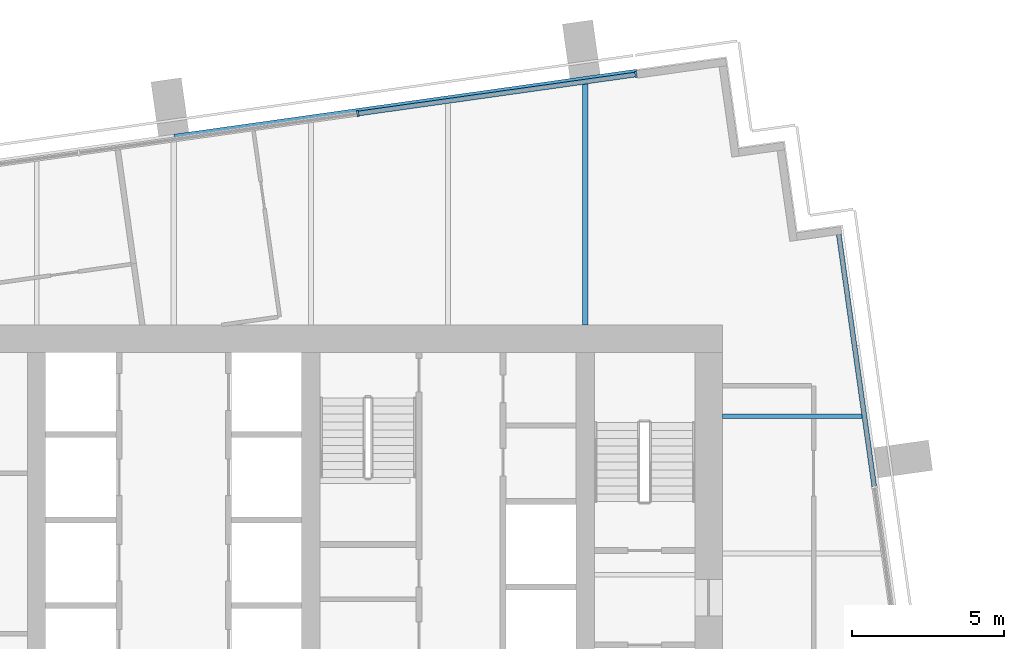
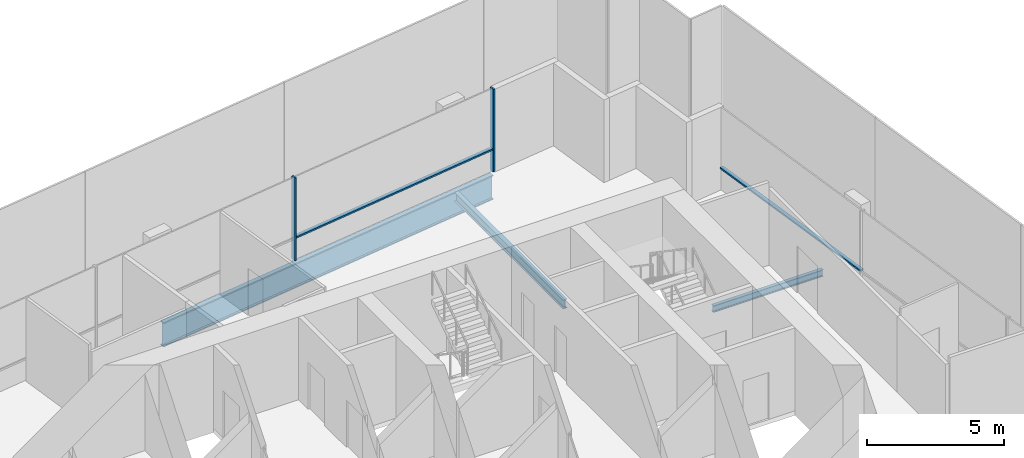
# One storey, part 6 of 15: 4 members, 3 beams, 2 elements without a shape of their own.
"""IFC4 building model written with IfcOpenShell, lengths in metres."""

from ifc_helpers import new_model, si_unit, direction, frame, origin, origin_2d, place, context, subcontext, project, spatial, rectangle, i_section, extrude, material, layer, layer_set, material_profile, profile_set, type_object, element, aggregate, save


model = new_model("IFC4")

# Units and contexts
model_context = context("Model", 3, precision=1e-05, world=origin(), true_north=direction((0.0, 1.0)))
body_context = subcontext(model_context, "Body", "Model", "MODEL_VIEW")
ifc_project = project(units=[si_unit("LENGTHUNIT", "METRE"), si_unit("AREAUNIT", "SQUARE_METRE"), si_unit("VOLUMEUNIT", "CUBIC_METRE"), si_unit("PLANEANGLEUNIT", "RADIAN"), si_unit("MASSUNIT", "GRAM", prefix="KILO")], contexts=[model_context])

# Site, building, storey
site_placement = place(None, origin())
site = spatial("IfcSite", under=ifc_project, at=site_placement, CompositionType="ELEMENT")
building_placement = place(site_placement, origin())
building = spatial("IfcBuilding", under=site, at=building_placement, Name="Rattan Terrace Tower", CompositionType="ELEMENT")
storey_placement = place(building_placement, frame((0.0, 0.0, 278.5)))
storey = spatial("IfcBuildingStorey", under=building, at=storey_placement, Name="L64", CompositionType="ELEMENT", Elevation=278.5)

# Beams
ifc_material_1 = material(Name="Steel S460", Category="steel")
ifc_material_profile_1 = material_profile(ifc_material_1, i_section(OverallWidth=0.179931640625, OverallDepth=1.10009765625, WebThickness=0.01611328125, FlangeThickness=0.050048828125, at=origin_2d()), Name="PG 1100x180-16-50")
ifc_profile_set_1 = profile_set([ifc_material_profile_1], Name="Steel S460")
beam_type_1 = type_object("IfcBeamType", Name="Frame edge girder PG 1100x180-16-50", PredefinedType="SPANDREL", material=ifc_profile_set_1)
beam_1_placement = place(storey_placement, frame((15.18896484375, 15.801025390625, -0.75), z_axis=(-0.99026622182, -0.139186241857, 0.0), x_axis=(0.139186241857, -0.99026622182, 0.0)))
element("IfcBeam", 1, at=beam_1_placement, inside=storey, type_object=beam_type_1, Name="gdr-L64-006", PredefinedType="SPANDREL", context=body_context, shape_type="SweptSolid", body=[
    extrude(i_section(OverallWidth=0.179931640625, OverallDepth=1.10009765625, WebThickness=0.01611328125, FlangeThickness=0.050048828125, at=origin_2d()), origin(), (0.0, 0.0, 1.0), 15.3251953125),
])
ifc_material_2 = material(Name="Steel S355", Category="steel")
ifc_material_profile_2 = material_profile(ifc_material_2, i_section(OverallWidth=0.14990234375, OverallDepth=0.300048828125, WebThickness=0.007080078125, FlangeThickness=0.0107421875, FilletRadius=0.014892578125, at=origin_2d()), Name="IPE 300")
ifc_profile_set_2 = profile_set([ifc_material_profile_2], Name="Steel S355")
beam_type_2 = type_object("IfcBeamType", Name="Frame floor beam IPE 300", PredefinedType="JOIST", material=ifc_profile_set_2)
beam_2_placement = place(storey_placement, frame((18.0, 4.5, -0.35009765625), z_axis=(1.0, 0.0, 0.0), x_axis=(0.0, 1.0, 0.0)))
element("IfcBeam", 2, at=beam_2_placement, inside=storey, type_object=beam_type_2, Name="bm-L64-014", PredefinedType="JOIST", context=body_context, shape_type="SweptSolid", body=[
    extrude(i_section(OverallWidth=0.14990234375, OverallDepth=0.300048828125, WebThickness=0.007080078125, FlangeThickness=0.0107421875, FilletRadius=0.014892578125, at=origin_2d()), origin(), (0.0, 0.0, 1.0), 4.64404296875),
])
ifc_material_3 = material(Name="Steel S355", Category="steel")
ifc_material_profile_3 = material_profile(ifc_material_3, i_section(OverallWidth=0.179931640625, OverallDepth=0.39990234375, WebThickness=0.008544921875, FlangeThickness=0.013427734375, FilletRadius=0.02099609375, at=origin_2d()), Name="IPE 400")
ifc_profile_set_3 = profile_set([ifc_material_profile_3], Name="Steel S355")
beam_type_3 = type_object("IfcBeamType", Name="Frame floor beam IPE 400", PredefinedType="JOIST", material=ifc_profile_set_3)
beam_3_placement = place(storey_placement, frame((13.5, 7.5, -0.39990234375), z_axis=(0.0, 1.0, 0.0), x_axis=(-1.0, 0.0, 0.0)))
element("IfcBeam", 3, at=beam_3_placement, inside=storey, type_object=beam_type_3, Name="bm-L64-021", PredefinedType="JOIST", context=body_context, shape_type="SweptSolid", body=[
    extrude(i_section(OverallWidth=0.179931640625, OverallDepth=0.39990234375, WebThickness=0.008544921875, FlangeThickness=0.013427734375, FilletRadius=0.02099609375, at=origin_2d()), origin(), (0.0, 0.0, 1.0), 7.9599609375),
])

# Curtain wall, members
ifc_material_4 = material(Name="Aluminium and laminated glass", Category="aluminium")
ifc_layer = layer(ifc_material_4, 0.199951171875)
ifc_layer_set = layer_set([ifc_layer], Name="High-Zone Unitised Curtain Wall")
curtain_wall_type = type_object("IfcCurtainWallType", Name="High-Zone Unitised Curtain Wall", PredefinedType="NOTDEFINED", material=ifc_layer_set)
curtain_wall_1_placement = place(storey_placement, origin())
curtain_wall_1 = element("IfcCurtainWall", 4, at=curtain_wall_1_placement, inside=storey, type_object=curtain_wall_type, Name="High-zone curtain wall L64-2", PredefinedType="NOTDEFINED")
ifc_material_5 = material(Name="Aluminium", Category="aluminium")
ifc_material_profile_4 = material_profile(ifc_material_5, rectangle(XDim=0.070068359375, YDim=0.199951171875, at=origin_2d()), Name="Aluminium 70x200")
ifc_profile_set_4 = profile_set([ifc_material_profile_4], Name="Aluminium")
member_type_1 = type_object("IfcMemberType", Name="High-Zone CW Mullion 70x200", PredefinedType="MULLION", material=ifc_profile_set_4)
member_1_placement = place(storey_placement, frame((15.1650390625, 15.716796875, 0.0), z_axis=(0.0, 0.0, 1.0), x_axis=(-0.990265894013, -0.139188574079, 0.0)))
member_1 = element("IfcMember", 5, at=member_1_placement, type_object=member_type_1, Name="Mullion cwl-L64-002.1", PredefinedType="MULLION", context=body_context, shape_type="SweptSolid", body=[
    extrude(rectangle(XDim=0.070068359375, YDim=0.199951171875, at=origin_2d()), origin(), (0.0, 0.0, 1.0), 3.699951171875),
])
member_2_placement = place(storey_placement, frame((6.040771484375, 14.434326171875, 0.0), z_axis=(0.0, 0.0, 1.0), x_axis=(-0.990265894013, -0.139188574079, 0.0)))
member_2 = element("IfcMember", 6, at=member_2_placement, type_object=member_type_1, Name="Mullion cwl-L64-002.2", PredefinedType="MULLION", context=body_context, shape_type="SweptSolid", body=[
    extrude(rectangle(XDim=0.070068359375, YDim=0.199951171875, at=origin_2d()), origin(), (0.0, 0.0, 1.0), 3.699951171875),
])

# Curtain wall, member
curtain_wall_2_placement = place(storey_placement, origin())
curtain_wall_2 = element("IfcCurtainWall", 7, at=curtain_wall_2_placement, inside=storey, type_object=curtain_wall_type, Name="High-zone curtain wall L64-1", PredefinedType="NOTDEFINED")
ifc_material_6 = material(Name="Aluminium", Category="aluminium")
ifc_material_profile_5 = material_profile(ifc_material_6, rectangle(XDim=0.159912109375, YDim=0.070068359375, at=origin_2d()), Name="Aluminium 160x70")
ifc_profile_set_5 = profile_set([ifc_material_profile_5], Name="Aluminium")
member_type_2 = type_object("IfcMemberType", Name="High-Zone CW Transom 160x70", PredefinedType="USERDEFINED", material=ifc_profile_set_5)
member_3_placement = place(storey_placement, frame((22.985107421875, 2.212158203125, 1.0), z_axis=(-0.139198740199, 0.990264465043, 0.0), x_axis=(-0.990264465043, -0.139198740199, 0.0)))
member_3 = element("IfcMember", 8, at=member_3_placement, type_object=member_type_2, Name="Transom cwl-L64-001.3", ObjectType="TRANSOM", PredefinedType="USERDEFINED", context=body_context, shape_type="SweptSolid", body=[
    extrude(rectangle(XDim=0.159912109375, YDim=0.070068359375, at=origin_2d()), origin(), (0.0, 0.0, 1.0), 8.336181640625),
])
aggregate(curtain_wall_2, [member_3])

# Member
member_4_placement = place(storey_placement, frame((15.13037109375, 15.7119140625, 1.0), z_axis=(-0.990266298783, -0.139185694291, 0.0), x_axis=(0.139185694291, -0.990266298783, 0.0)))
member_4 = element("IfcMember", 9, at=member_4_placement, type_object=member_type_2, Name="Transom cwl-L64-002.1", ObjectType="TRANSOM", PredefinedType="USERDEFINED", context=body_context, shape_type="SweptSolid", body=[
    extrude(rectangle(XDim=0.159912109375, YDim=0.070068359375, at=origin_2d()), origin(), (0.0, 0.0, 1.0), 9.14404296875),
])

aggregate(curtain_wall_1, [member_1, member_2, member_4])

save(model, "model.ifc")
